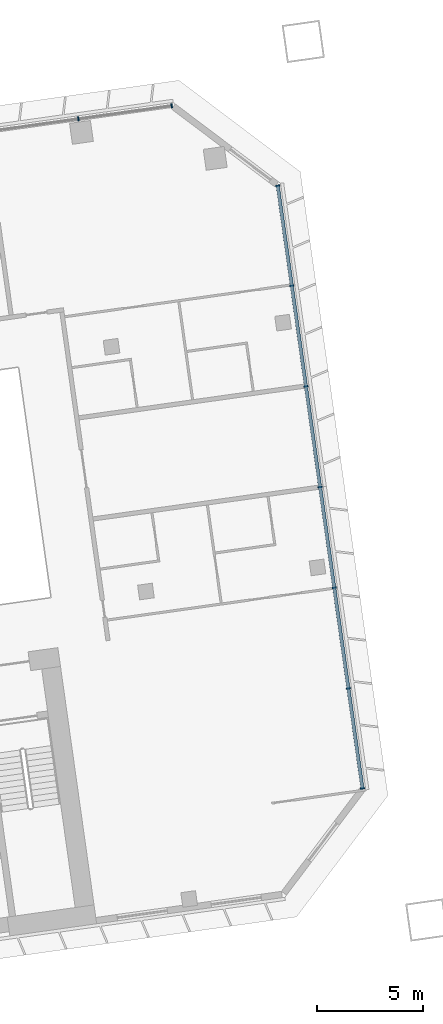
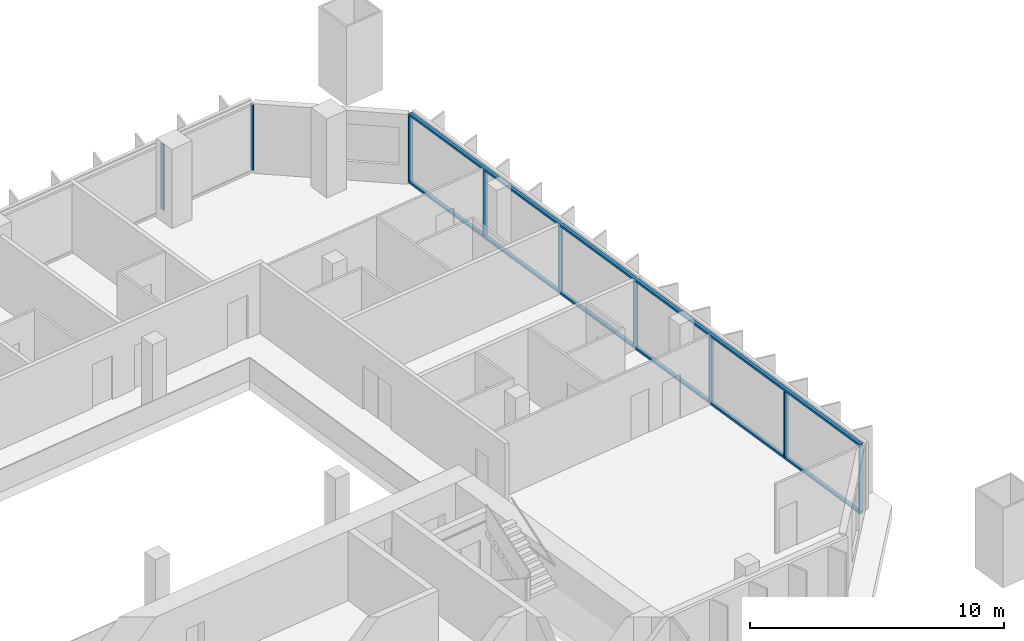
# One storey, part 11 of 24: 11 members, 2 elements without a shape of their own.
"""IFC4 building model written with IfcOpenShell, lengths in metres."""

from ifc_helpers import new_model, si_unit, direction, frame, origin, origin_2d, place, context, subcontext, project, spatial, rectangle, extrude, material, material_profile, profile_set, type_object, element, aggregate, save


model = new_model("IFC4")

# Units and contexts
model_context = context("Model", 3, precision=1e-05, world=origin(), true_north=direction((0.0, 1.0)))
body_context = subcontext(model_context, "Body", "Model", "MODEL_VIEW")
ifc_project = project(units=[si_unit("LENGTHUNIT", "METRE"), si_unit("AREAUNIT", "SQUARE_METRE"), si_unit("VOLUMEUNIT", "CUBIC_METRE"), si_unit("PLANEANGLEUNIT", "RADIAN"), si_unit("MASSUNIT", "GRAM", prefix="KILO")], contexts=[model_context])

# Site, building, storey
site_placement = place(None, origin())
site = spatial("IfcSite", under=ifc_project, at=site_placement, CompositionType="ELEMENT")
building_placement = place(site_placement, origin())
building = spatial("IfcBuilding", under=site, at=building_placement, Name="Mirante Cascada Hotel Towers", CompositionType="ELEMENT")
storey_placement = place(building_placement, frame((0.0, 0.0, 81.3)))
storey = spatial("IfcBuildingStorey", under=building, at=storey_placement, Name="L17", CompositionType="ELEMENT", Elevation=81.3)

# Curtain wall, members
ifc_material_1 = material(Name="Aluminium mullion and transom frame with clear laminated glass", Category="aluminium")
curtain_wall_type_1 = type_object("IfcCurtainWallType", Name="Ribbon curtain wall ECW1", PredefinedType="NOTDEFINED", material=ifc_material_1)
curtain_wall_1_placement = place(storey_placement, origin())
curtain_wall_1 = element("IfcCurtainWall", 1, at=curtain_wall_1_placement, inside=storey, type_object=curtain_wall_type_1, Name="Front ribbon wall T2 L17", PredefinedType="NOTDEFINED")
ifc_material_2 = material(Name="Anodised aluminium extrusion", Category="aluminium")
ifc_material_profile_1 = material_profile(ifc_material_2, rectangle(XDim=0.2, YDim=0.065, at=origin_2d()), Name="ECW1 MULLION 65x200")
ifc_profile_set_1 = profile_set([ifc_material_profile_1], Name="Anodised aluminium extrusion")
member_type_1 = type_object("IfcMemberType", Name="ECW1 mullion 65x200", PredefinedType="MULLION", material=ifc_profile_set_1)
member_1_placement = place(storey_placement, frame((94.126, 26.0476, 0.1), z_axis=(0.0, 0.0, 1.0), x_axis=(0.1391731, -0.9902681, 0.0)))
member_1 = element("IfcMember", 2, at=member_1_placement, type_object=member_type_1, Name="ECW1 mullion 1", PredefinedType="MULLION", context=body_context, shape_type="SweptSolid", body=[
    extrude(rectangle(XDim=0.2, YDim=0.065, at=origin_2d()), origin(), (0.0, 0.0, 1.0), 3.15),
])
member_2_placement = place(storey_placement, frame((89.7107, 25.427, 0.1), z_axis=(0.0, 0.0, 1.0), x_axis=(0.1391731, -0.9902681, 0.0)))
member_2 = element("IfcMember", 3, at=member_2_placement, type_object=member_type_1, Name="ECW1 mullion 2", PredefinedType="MULLION", context=body_context, shape_type="SweptSolid", body=[
    extrude(rectangle(XDim=0.2, YDim=0.065, at=origin_2d()), origin(), (0.0, 0.0, 1.0), 3.15),
])
aggregate(curtain_wall_1, [member_1, member_2])

ifc_material_3 = material(Name="Aluminium mullion and transom frame with clear laminated glass", Category="aluminium")
curtain_wall_type_2 = type_object("IfcCurtainWallType", Name="End ribbon curtain wall ECW2", PredefinedType="NOTDEFINED", material=ifc_material_3)
curtain_wall_2_placement = place(storey_placement, origin())
curtain_wall_2 = element("IfcCurtainWall", 4, at=curtain_wall_2_placement, inside=storey, type_object=curtain_wall_type_2, Name="Outer end wall T2 L17", PredefinedType="NOTDEFINED")
ifc_material_4 = material(Name="Anodised aluminium extrusion", Category="aluminium")
ifc_material_profile_2 = material_profile(ifc_material_4, rectangle(XDim=0.2, YDim=0.065, at=origin_2d()), Name="ECW2 MULLION 65x200")
ifc_profile_set_2 = profile_set([ifc_material_profile_2], Name="Anodised aluminium extrusion")
member_type_2 = type_object("IfcMemberType", Name="ECW2 mullion 65x200", PredefinedType="MULLION", material=ifc_profile_set_2)
member_3_placement = place(storey_placement, frame((103.1556, -6.2656, 0.1), z_axis=(0.0, 0.0, 1.0), x_axis=(-0.9902681, -0.1391731, 0.0)))
member_3 = element("IfcMember", 5, at=member_3_placement, type_object=member_type_2, Name="ECW2 mullion 1", PredefinedType="MULLION", context=body_context, shape_type="SweptSolid", body=[
    extrude(rectangle(XDim=0.2, YDim=0.065, at=origin_2d()), origin(), (0.0, 0.0, 1.0), 3.15),
])
member_4_placement = place(storey_placement, frame((102.4903, -1.532, 0.1), z_axis=(0.0, 0.0, 1.0), x_axis=(-0.9902681, -0.1391731, 0.0)))
member_4 = element("IfcMember", 6, at=member_4_placement, type_object=member_type_2, Name="ECW2 mullion 2", PredefinedType="MULLION", context=body_context, shape_type="SweptSolid", body=[
    extrude(rectangle(XDim=0.2, YDim=0.065, at=origin_2d()), origin(), (0.0, 0.0, 1.0), 3.15),
])
member_5_placement = place(storey_placement, frame((101.8205, 3.2338, 0.1), z_axis=(0.0, 0.0, 1.0), x_axis=(-0.9902681, -0.1391731, 0.0)))
member_5 = element("IfcMember", 7, at=member_5_placement, type_object=member_type_2, Name="ECW2 mullion 3", PredefinedType="MULLION", context=body_context, shape_type="SweptSolid", body=[
    extrude(rectangle(XDim=0.2, YDim=0.065, at=origin_2d()), origin(), (0.0, 0.0, 1.0), 3.15),
])
member_6_placement = place(storey_placement, frame((101.1508, 7.9996, 0.1), z_axis=(0.0, 0.0, 1.0), x_axis=(-0.9902681, -0.1391731, 0.0)))
member_6 = element("IfcMember", 8, at=member_6_placement, type_object=member_type_2, Name="ECW2 mullion 4", PredefinedType="MULLION", context=body_context, shape_type="SweptSolid", body=[
    extrude(rectangle(XDim=0.2, YDim=0.065, at=origin_2d()), origin(), (0.0, 0.0, 1.0), 3.15),
])
member_7_placement = place(storey_placement, frame((100.481, 12.7654, 0.1), z_axis=(0.0, 0.0, 1.0), x_axis=(-0.9902681, -0.1391731, 0.0)))
member_7 = element("IfcMember", 9, at=member_7_placement, type_object=member_type_2, Name="ECW2 mullion 5", PredefinedType="MULLION", context=body_context, shape_type="SweptSolid", body=[
    extrude(rectangle(XDim=0.2, YDim=0.065, at=origin_2d()), origin(), (0.0, 0.0, 1.0), 3.15),
])
member_8_placement = place(storey_placement, frame((99.8112, 17.5312, 0.1), z_axis=(0.0, 0.0, 1.0), x_axis=(-0.9902681, -0.1391731, 0.0)))
member_8 = element("IfcMember", 10, at=member_8_placement, type_object=member_type_2, Name="ECW2 mullion 6", PredefinedType="MULLION", context=body_context, shape_type="SweptSolid", body=[
    extrude(rectangle(XDim=0.2, YDim=0.065, at=origin_2d()), origin(), (0.0, 0.0, 1.0), 3.15),
])
member_9_placement = place(storey_placement, frame((99.1459, 22.2648, 0.1), z_axis=(0.0, 0.0, 1.0), x_axis=(-0.9902681, -0.1391731, 0.0)))
member_9 = element("IfcMember", 11, at=member_9_placement, type_object=member_type_2, Name="ECW2 mullion 7", PredefinedType="MULLION", context=body_context, shape_type="SweptSolid", body=[
    extrude(rectangle(XDim=0.2, YDim=0.065, at=origin_2d()), origin(), (0.0, 0.0, 1.0), 3.15),
])
ifc_material_5 = material(Name="Anodised aluminium extrusion", Category="aluminium")
ifc_material_profile_3 = material_profile(ifc_material_5, rectangle(XDim=0.16, YDim=0.1, at=origin_2d()), Name="ECW2 TRANSOM 100x160")
ifc_profile_set_3 = profile_set([ifc_material_profile_3], Name="Anodised aluminium extrusion")
member_type_3 = type_object("IfcMemberType", Name="ECW2 transom 100x160", PredefinedType="USERDEFINED", material=ifc_profile_set_3)
member_10_placement = place(storey_placement, frame((103.1601, -6.2978, 0.05), z_axis=(-0.1391723, 0.9902682, 0.0), x_axis=(-0.9902682, -0.1391723, 0.0)))
member_10 = element("IfcMember", 12, at=member_10_placement, type_object=member_type_3, Name="ECW2 sill transom", ObjectType="TRANSOM", PredefinedType="USERDEFINED", context=body_context, shape_type="SweptSolid", body=[
    extrude(rectangle(XDim=0.16, YDim=0.1, at=origin_2d()), origin(), (0.0, 0.0, 1.0), 28.8757),
])
member_11_placement = place(storey_placement, frame((103.1601, -6.2978, 3.3), z_axis=(-0.1391723, 0.9902682, 0.0), x_axis=(-0.9902682, -0.1391723, 0.0)))
member_11 = element("IfcMember", 13, at=member_11_placement, type_object=member_type_3, Name="ECW2 head transom", ObjectType="TRANSOM", PredefinedType="USERDEFINED", context=body_context, shape_type="SweptSolid", body=[
    extrude(rectangle(XDim=0.16, YDim=0.1, at=origin_2d()), origin(), (0.0, 0.0, 1.0), 28.8757),
])
aggregate(curtain_wall_2, [member_10, member_11, member_3, member_4, member_5, member_6, member_7, member_8, member_9])

save(model, "model.ifc")
